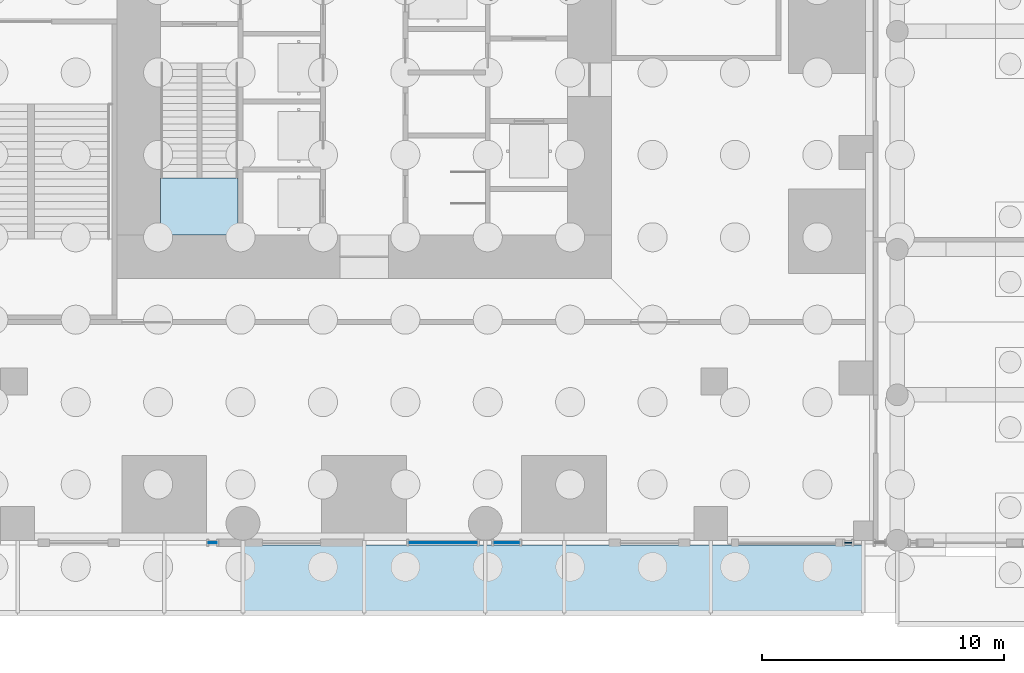
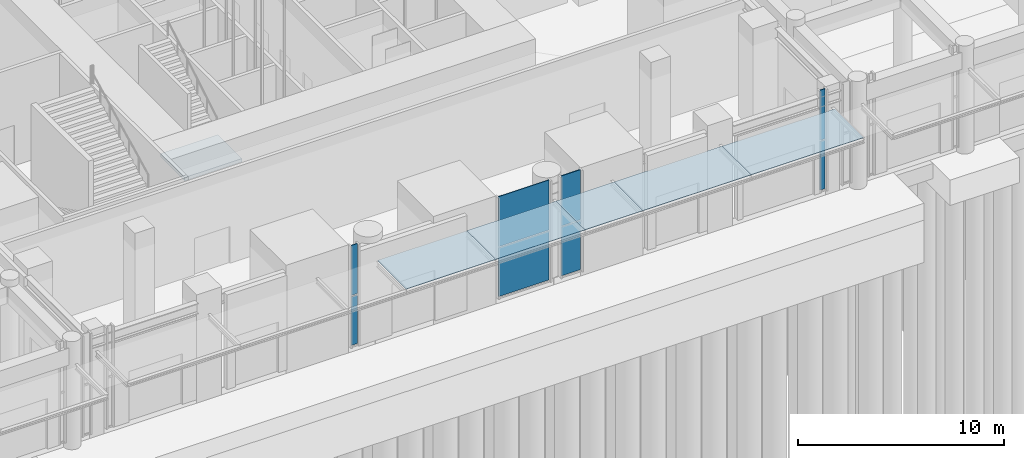
# One storey, part 16 of 46: 13 plates, 1 slab, 5 elements without a shape of their own.
"""IFC4 building model written with IfcOpenShell, lengths in metres."""

from ifc_helpers import new_model, si_unit, direction, frame, origin, origin_2d, place, context, subcontext, project, spatial, polyline, rectangle, outline, extrude, material, layer, layer_set, type_object, element, aggregate, save


model = new_model("IFC4")

# Units and contexts
model_context = context("Model", 3, precision=1e-05, world=origin(), true_north=direction((0.0, 1.0)))
body_context = subcontext(model_context, "Body", "Model", "MODEL_VIEW")
ifc_project = project(units=[si_unit("LENGTHUNIT", "METRE"), si_unit("AREAUNIT", "SQUARE_METRE"), si_unit("VOLUMEUNIT", "CUBIC_METRE"), si_unit("PLANEANGLEUNIT", "RADIAN"), si_unit("MASSUNIT", "GRAM", prefix="KILO")], contexts=[model_context])

# Site, building, storey
site_placement = place(None, origin())
site = spatial("IfcSite", under=ifc_project, at=site_placement, CompositionType="ELEMENT")
building_placement = place(site_placement, origin())
building = spatial("IfcBuilding", under=site, at=building_placement, Name="Svetlomir Tower", CompositionType="ELEMENT")
storey_placement = place(building_placement, origin())
storey = spatial("IfcBuildingStorey", under=building, at=storey_placement, Name="L00", CompositionType="ELEMENT", Elevation=0.0)

# Plates
ifc_material_1 = material(Name="Laminated toughened glass", Category="glass")
ifc_layer_1 = layer(ifc_material_1, 0.02490234375)
ifc_layer_set_1 = layer_set([ifc_layer_1], Name="Laminated toughened glass")
plate_type_1 = type_object("IfcPlateType", Name="CANOPY GLASS 25", PredefinedType="USERDEFINED", material=ifc_layer_set_1)
for number, where, z_axis, x_axis, name in (
    (1, (18.5, -1.60009765625, 4.650146484375), (0.0, 0.0, 1.0), (1.0, 0.0, 0.0), "Canopy glass 16 to 21"),
    (2, (23.5, -1.60009765625, 4.650146484375), (0.0, 0.0, 1.0), (1.0, 0.0, 0.0), "Canopy glass 21 to 26"),
):
    element("IfcPlate", number, at=place(storey_placement, frame(where, z_axis=z_axis, x_axis=x_axis)), inside=storey, type_object=plate_type_1, Name=name, ObjectType="CANOPY GLASS", PredefinedType="USERDEFINED", context=body_context, shape_type="SweptSolid", body=[
        extrude(rectangle(XDim=5.0, YDim=2.800048828125, at=origin_2d()), origin(), (0.0, 0.0, 1.0), 0.02490234375),
    ])
plate_1_placement = place(storey_placement, frame((27.625, -1.60009765625, 4.650146484375), z_axis=(0.0, 0.0, 1.0), x_axis=(1.0, 0.0, 0.0)))
element("IfcPlate", 3, at=plate_1_placement, inside=storey, type_object=plate_type_1, Name="Canopy glass 26 to 29.25", ObjectType="CANOPY GLASS", PredefinedType="USERDEFINED", context=body_context, shape_type="SweptSolid", body=[
    extrude(rectangle(XDim=3.25, YDim=2.800048828125, at=origin_2d()), origin(), (0.0, 0.0, 1.0), 0.02490234375),
])
plate_2_placement = place(storey_placement, frame((32.27490234375, -1.60009765625, 4.650146484375), z_axis=(0.0, 0.0, 1.0), x_axis=(1.0, 0.0, 0.0)))
element("IfcPlate", 4, at=plate_2_placement, inside=storey, type_object=plate_type_1, Name="Canopy glass 29.25 to 35.3", ObjectType="CANOPY GLASS", PredefinedType="USERDEFINED", context=body_context, shape_type="SweptSolid", body=[
    extrude(rectangle(XDim=6.050048828125, YDim=2.800048828125, at=origin_2d()), origin(), (0.0, 0.0, 1.0), 0.02490234375),
])
plate_3_placement = place(storey_placement, frame((38.449951171875, -1.60009765625, 4.650146484375), z_axis=(0.0, 0.0, 1.0), x_axis=(1.0, 0.0, 0.0)))
element("IfcPlate", 5, at=plate_3_placement, inside=storey, type_object=plate_type_1, Name="Canopy glass 35.3 to 41.6", ObjectType="CANOPY GLASS", PredefinedType="USERDEFINED", context=body_context, shape_type="SweptSolid", body=[
    extrude(rectangle(XDim=6.300048828125, YDim=2.800048828125, at=origin_2d()), origin(), (0.0, 0.0, 1.0), 0.02490234375),
])

# Curtain wall, plates
ifc_material_2 = material(Name="Bronze anodised aluminium curtain wall", Category="aluminium")
curtain_wall_type = type_object("IfcCurtainWallType", Name="CURTAIN WALL CW5 PODIUM", PredefinedType="NOTDEFINED", material=ifc_material_2)
curtain_wall_1_placement = place(storey_placement, origin())
curtain_wall_1 = element("IfcCurtainWall", 6, at=curtain_wall_1_placement, inside=storey, type_object=curtain_wall_type, Name="Curtain wall CW5 L00", PredefinedType="NOTDEFINED")
ifc_material_3 = material(Name="Tinted double glazed unit", Category="glass")
ifc_layer_2 = layer(ifc_material_3, 0.0400390625)
ifc_layer_set_2 = layer_set([ifc_layer_2], Name="Tinted double glazed unit")
plate_type_2 = type_object("IfcPlateType", Name="CW5 GLAZED PANEL 40", PredefinedType="CURTAIN_PANEL", material=ifc_layer_set_2)
plate_4_placement = place(storey_placement, frame((14.75, -0.10009765625, 0.080078125), z_axis=(0.0, 0.0, 1.0), x_axis=(1.0, 0.0, 0.0)))
plate_4 = element("IfcPlate", 7, at=plate_4_placement, type_object=plate_type_2, Name="CW5 panel 1.1", PredefinedType="CURTAIN_PANEL", context=body_context, shape_type="SweptSolid", body=[
    extrude(rectangle(XDim=0.340087890625, YDim=0.0400390625, at=origin_2d()), origin(), (0.0, 0.0, 1.0), 2.8798828125),
])
plate_5_placement = place(storey_placement, frame((14.75, -0.10009765625, 3.0400390625), z_axis=(0.0, 0.0, 1.0), x_axis=(1.0, 0.0, 0.0)))
plate_5 = element("IfcPlate", 8, at=plate_5_placement, type_object=plate_type_2, Name="CW5 panel 1.2", PredefinedType="CURTAIN_PANEL", context=body_context, shape_type="SweptSolid", body=[
    extrude(rectangle(XDim=0.340087890625, YDim=0.0400390625, at=origin_2d()), origin(), (0.0, 0.0, 1.0), 2.9599609375),
])
aggregate(curtain_wall_1, [plate_4, plate_5])

curtain_wall_2_placement = place(storey_placement, origin())
curtain_wall_2 = element("IfcCurtainWall", 9, at=curtain_wall_2_placement, inside=storey, type_object=curtain_wall_type, Name="Curtain wall CW5 L00", PredefinedType="NOTDEFINED")
plate_6_placement = place(storey_placement, frame((24.2451171875, -0.10009765625, 0.080078125), z_axis=(0.0, 0.0, 1.0), x_axis=(1.0, 0.0, 0.0)))
plate_6 = element("IfcPlate", 10, at=plate_6_placement, type_object=plate_type_2, Name="CW5 panel 1.1", PredefinedType="CURTAIN_PANEL", context=body_context, shape_type="SweptSolid", body=[
    extrude(rectangle(XDim=2.830078125, YDim=0.0400390625, at=origin_2d()), origin(), (0.0, 0.0, 1.0), 2.8798828125),
])
plate_7_placement = place(storey_placement, frame((24.2451171875, -0.10009765625, 3.0400390625), z_axis=(0.0, 0.0, 1.0), x_axis=(1.0, 0.0, 0.0)))
plate_7 = element("IfcPlate", 11, at=plate_7_placement, type_object=plate_type_2, Name="CW5 panel 1.2", PredefinedType="CURTAIN_PANEL", context=body_context, shape_type="SweptSolid", body=[
    extrude(rectangle(XDim=2.830078125, YDim=0.0400390625, at=origin_2d()), origin(), (0.0, 0.0, 1.0), 2.9599609375),
])
aggregate(curtain_wall_2, [plate_6, plate_7])

curtain_wall_3_placement = place(storey_placement, origin())
curtain_wall_3 = element("IfcCurtainWall", 12, at=curtain_wall_3_placement, inside=storey, type_object=curtain_wall_type, Name="Curtain wall CW5 L00", PredefinedType="NOTDEFINED")
plate_8_placement = place(storey_placement, frame((26.8798828125, -0.10009765625, 0.080078125), z_axis=(0.0, 0.0, 1.0), x_axis=(1.0, 0.0, 0.0)))
plate_8 = element("IfcPlate", 13, at=plate_8_placement, type_object=plate_type_2, Name="CW5 panel 1.1", PredefinedType="CURTAIN_PANEL", context=body_context, shape_type="SweptSolid", body=[
    extrude(rectangle(XDim=1.080078125, YDim=0.0400390625, at=origin_2d()), origin(), (0.0, 0.0, 1.0), 2.8798828125),
])
plate_9_placement = place(storey_placement, frame((26.8798828125, -0.10009765625, 3.0400390625), z_axis=(0.0, 0.0, 1.0), x_axis=(1.0, 0.0, 0.0)))
plate_9 = element("IfcPlate", 14, at=plate_9_placement, type_object=plate_type_2, Name="CW5 panel 1.2", PredefinedType="CURTAIN_PANEL", context=body_context, shape_type="SweptSolid", body=[
    extrude(rectangle(XDim=1.080078125, YDim=0.0400390625, at=origin_2d()), origin(), (0.0, 0.0, 1.0), 2.9599609375),
])
aggregate(curtain_wall_3, [plate_8, plate_9])

curtain_wall_4_placement = place(storey_placement, origin())
curtain_wall_4 = element("IfcCurtainWall", 15, at=curtain_wall_4_placement, inside=storey, type_object=curtain_wall_type, Name="Curtain wall CW5 L00", PredefinedType="NOTDEFINED")
plate_10_placement = place(storey_placement, frame((40.97509765625, -0.10009765625, 0.080078125), z_axis=(0.0, 0.0, 1.0), x_axis=(1.0, 0.0, 0.0)))
plate_10 = element("IfcPlate", 16, at=plate_10_placement, type_object=plate_type_2, Name="CW5 panel 1.1", PredefinedType="CURTAIN_PANEL", context=body_context, shape_type="SweptSolid", body=[
    extrude(rectangle(XDim=0.2900390625, YDim=0.0400390625, at=origin_2d()), origin(), (0.0, 0.0, 1.0), 2.8798828125),
])
plate_11_placement = place(storey_placement, frame((40.97509765625, -0.10009765625, 3.0400390625), z_axis=(0.0, 0.0, 1.0), x_axis=(1.0, 0.0, 0.0)))
plate_11 = element("IfcPlate", 17, at=plate_11_placement, type_object=plate_type_2, Name="CW5 panel 1.2", PredefinedType="CURTAIN_PANEL", context=body_context, shape_type="SweptSolid", body=[
    extrude(rectangle(XDim=0.2900390625, YDim=0.0400390625, at=origin_2d()), origin(), (0.0, 0.0, 1.0), 2.9599609375),
])
aggregate(curtain_wall_4, [plate_10, plate_11])

# Stair, slab
ifc_material_4 = material(Name="Concrete C60/75", Category="concrete")
stair_type = type_object("IfcStairType", Name="EXIT STAIR 3200 RISE 6000", PredefinedType="HALF_TURN_STAIR", material=ifc_material_4)
stair_placement = place(storey_placement, origin())
stair = element("IfcStair", 18, at=stair_placement, inside=storey, type_object=stair_type, Name="Stair S1 L00 to L01", PredefinedType="HALF_TURN_STAIR")
ifc_material_5 = material(Name="Concrete C60/75", Category="concrete")
ifc_layer_3 = layer(ifc_material_5, 0.199951171875)
ifc_layer_set_3 = layer_set([ifc_layer_3], Name="Concrete C60/75")
slab_type = type_object("IfcSlabType", Name="STAIR LANDING 200", PredefinedType="LANDING", material=ifc_layer_set_3)
slab_placement = place(storey_placement, frame((0.0, 0.0, 2.800048828125)))
slab = element("IfcSlab", 19, at=slab_placement, type_object=slab_type, Name="S1 landing 1", PredefinedType="LANDING", context=body_context, shape_type="SweptSolid", body=[
    extrude(outline(polyline([(12.60009765625, 12.60009765625), (15.800048828125, 12.60009765625), (15.800048828125, 14.93994140625), (12.60009765625, 14.93994140625), (12.60009765625, 12.60009765625)])), origin(), (0.0, 0.0, 1.0), 0.199951171875),
])
aggregate(stair, [slab])

save(model, "model.ifc")
